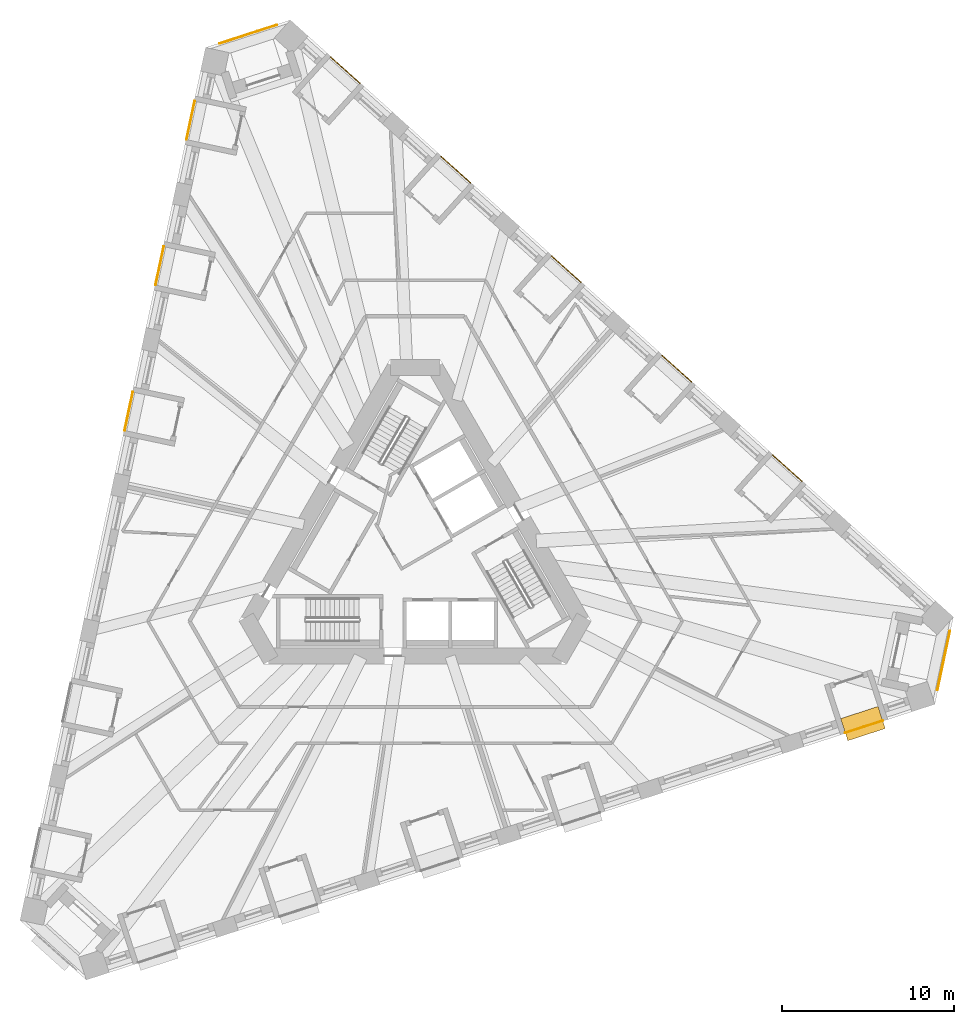
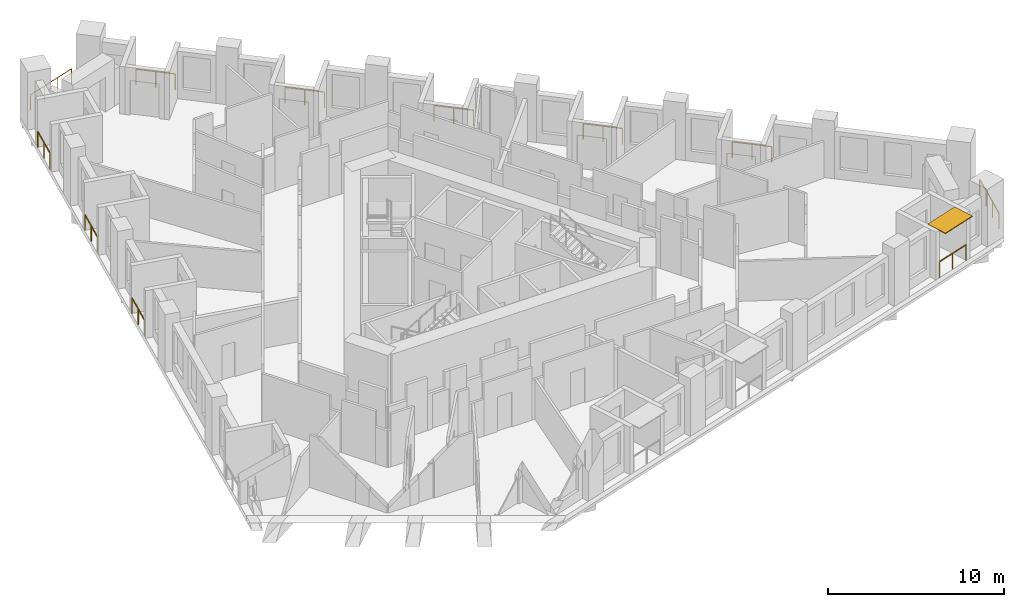
# One storey, part 12 of 12: 11 railings, 1 shading device.
"""IFC4 building model written with IfcOpenShell, lengths in metres."""

from ifc_helpers import new_model, si_unit, direction, frame, origin, origin_2d, place, context, subcontext, project, spatial, rectangle, circle, extrude, material, layer, layer_set, type_object, element, save


model = new_model("IFC4")

# Units and contexts
model_context = context("Model", 3, precision=1e-05, world=origin(), true_north=direction((0.0, 1.0)))
body_context = subcontext(model_context, "Body", "Model", "MODEL_VIEW")
ifc_project = project(units=[si_unit("LENGTHUNIT", "METRE"), si_unit("AREAUNIT", "SQUARE_METRE"), si_unit("VOLUMEUNIT", "CUBIC_METRE"), si_unit("PLANEANGLEUNIT", "RADIAN"), si_unit("MASSUNIT", "GRAM", prefix="KILO")], contexts=[model_context])

# Site, building, storey
site_placement = place(None, origin())
site = spatial("IfcSite", under=ifc_project, at=site_placement, CompositionType="ELEMENT")
building_placement = place(site_placement, origin())
building = spatial("IfcBuilding", under=site, at=building_placement, Name="Tramontana Tower", CompositionType="ELEMENT")
storey_placement = place(building_placement, frame((0.0, 0.0, 96.39990234375)))
storey = spatial("IfcBuildingStorey", under=building, at=storey_placement, Name="L21", CompositionType="ELEMENT", Elevation=96.39990234375)

# Railings
ifc_material_1 = material(Name="Laminated glass balustrade", Category="glass")
railing_type = type_object("IfcRailingType", Name="GD1 Loggia glass balustrade 1100", PredefinedType="BALUSTRADE", material=ifc_material_1)
railing_1_placement = place(storey_placement, frame((-12.838134765625, 26.031982421875, 0.0)))
element("IfcRailing", 1, at=railing_1_placement, inside=storey, type_object=railing_type, Name="Loggia balustrade L21 G2S0.1", PredefinedType="BALUSTRADE", context=body_context, shape_type="SweptSolid", body=[
    extrude(circle(Radius=0.02392578125, at=origin_2d()), frame((0.0, 0.0, 1.076171875), z_axis=(-0.207990282514, -0.978130892253, 0.0), x_axis=(0.978130892253, -0.207990282514, 0.0)), (0.0, 0.0, 1.0), 2.28662109375),
    extrude(circle(Radius=0.02099609375, at=origin_2d()), origin(), (0.0, 0.0, 1.0), 1.052001953125),
    extrude(circle(Radius=0.02099609375, at=origin_2d()), frame((-0.23779296875, -1.1181640625, 0.0)), (0.0, 0.0, 1.0), 1.052001953125),
    extrude(circle(Radius=0.02099609375, at=origin_2d()), frame((-0.4755859375, -2.236572265625, 0.0)), (0.0, 0.0, 1.0), 1.052001953125),
])
for number, where, name in (
    (2, (-14.638671875, 17.56103515625, 0.0), "Loggia balustrade L21 G2S0.4"),
    (3, (-16.439208984375, 9.090087890625, 0.0), "Loggia balustrade L21 G2S0.7"),
):
    element("IfcRailing", number, at=place(storey_placement, frame(where)), inside=storey, type_object=railing_type, Name=name, PredefinedType="BALUSTRADE", context=body_context, shape_type="SweptSolid", body=[
        extrude(circle(Radius=0.02392578125, at=origin_2d()), frame((0.0, 0.0, 1.076171875), z_axis=(-0.207968563016, -0.978135510447, 0.0), x_axis=(0.978135510447, -0.207968563016, 0.0)), (0.0, 0.0, 1.0), 2.286865234375),
        extrude(circle(Radius=0.02099609375, at=origin_2d()), origin(), (0.0, 0.0, 1.0), 1.052001953125),
        extrude(circle(Radius=0.02099609375, at=origin_2d()), frame((-0.23779296875, -1.118408203125, 0.0)), (0.0, 0.0, 1.0), 1.052001953125),
        extrude(circle(Radius=0.02099609375, at=origin_2d()), frame((-0.4755859375, -2.23681640625, 0.0)), (0.0, 0.0, 1.0), 1.052001953125),
    ])
railing_2_placement = place(storey_placement, frame((25.056640625, -10.75341796875, 0.0)))
element("IfcRailing", 4, at=railing_2_placement, inside=storey, type_object=railing_type, Name="Loggia balustrade L21 G2S1.16", PredefinedType="BALUSTRADE", context=body_context, shape_type="SweptSolid", body=[
    extrude(circle(Radius=0.02392578125, at=origin_2d()), frame((0.0, 0.0, 1.076171875), z_axis=(0.95103720697, 0.309076416051, 0.0), x_axis=(-0.309076416051, 0.95103720697, 0.0)), (0.0, 0.0, 1.0), 2.286865234375),
    extrude(circle(Radius=0.02099609375, at=origin_2d()), origin(), (0.0, 0.0, 1.0), 1.052001953125),
    extrude(circle(Radius=0.02099609375, at=origin_2d()), frame((1.08740234375, 0.353515625, 0.0)), (0.0, 0.0, 1.0), 1.052001953125),
    extrude(circle(Radius=0.02099609375, at=origin_2d()), frame((2.1748046875, 0.706787109375, 0.0)), (0.0, 0.0, 1.0), 1.052001953125),
])
for number, where, name in (
    (5, (22.527587890625, 3.89697265625, 0.0), "Loggia balustrade L21 G2S2.4"),
    (6, (16.091796875, 9.69189453125, 0.0), "Loggia balustrade L21 G2S2.7"),
):
    element("IfcRailing", number, at=place(storey_placement, frame(where)), inside=storey, type_object=railing_type, Name=name, PredefinedType="BALUSTRADE", context=body_context, shape_type="SweptSolid", body=[
        extrude(circle(Radius=0.02392578125, at=origin_2d()), frame((0.0, 0.0, 1.076171875), z_axis=(-0.743134851659, 0.66914168324, 0.0), x_axis=(-0.66914168324, -0.743134851659, 0.0)), (0.0, 0.0, 1.0), 2.28662109375),
        extrude(circle(Radius=0.02099609375, at=origin_2d()), origin(), (0.0, 0.0, 1.0), 1.052001953125),
        extrude(circle(Radius=0.02099609375, at=origin_2d()), frame((-0.849609375, 0.76513671875, 0.0)), (0.0, 0.0, 1.0), 1.052001953125),
        extrude(circle(Radius=0.02099609375, at=origin_2d()), frame((-1.69921875, 1.530029296875, 0.0)), (0.0, 0.0, 1.0), 1.052001953125),
    ])
railing_3_placement = place(storey_placement, frame((9.656005859375, 15.486572265625, 0.0)))
element("IfcRailing", 7, at=railing_3_placement, inside=storey, type_object=railing_type, Name="Loggia balustrade L21 G2S2.10", PredefinedType="BALUSTRADE", context=body_context, shape_type="SweptSolid", body=[
    extrude(circle(Radius=0.02392578125, at=origin_2d()), frame((0.0, 0.0, 1.076171875), z_axis=(-0.743081759278, 0.669200641832, 0.0), x_axis=(-0.669200641832, -0.743081759278, 0.0)), (0.0, 0.0, 1.0), 2.28662109375),
    extrude(circle(Radius=0.02099609375, at=origin_2d()), origin(), (0.0, 0.0, 1.0), 1.052001953125),
    extrude(circle(Radius=0.02099609375, at=origin_2d()), frame((-0.849609375, 0.76513671875, 0.0)), (0.0, 0.0, 1.0), 1.052001953125),
    extrude(circle(Radius=0.02099609375, at=origin_2d()), frame((-1.69921875, 1.5302734375, 0.0)), (0.0, 0.0, 1.0), 1.052001953125),
])
for number, where, name in (
    (8, (3.22021484375, 21.281494140625, 0.0), "Loggia balustrade L21 G2S2.13"),
    (9, (-3.215576171875, 27.076416015625, 0.0), "Loggia balustrade L21 G2S2.16"),
):
    element("IfcRailing", number, at=place(storey_placement, frame(where)), inside=storey, type_object=railing_type, Name=name, PredefinedType="BALUSTRADE", context=body_context, shape_type="SweptSolid", body=[
        extrude(circle(Radius=0.02392578125, at=origin_2d()), frame((0.0, 0.0, 1.076171875), z_axis=(-0.743182653308, 0.669088591909, 0.0), x_axis=(-0.669088591909, -0.743182653308, 0.0)), (0.0, 0.0, 1.0), 2.28662109375),
        extrude(circle(Radius=0.02099609375, at=origin_2d()), origin(), (0.0, 0.0, 1.0), 1.052001953125),
        extrude(circle(Radius=0.02099609375, at=origin_2d()), frame((-0.849609375, 0.76513671875, 0.0)), (0.0, 0.0, 1.0), 1.052001953125),
        extrude(circle(Radius=0.02099609375, at=origin_2d()), frame((-1.699462890625, 1.530029296875, 0.0)), (0.0, 0.0, 1.0), 1.052001953125),
    ])
railing_4_placement = place(storey_placement, frame((-11.38916015625, 29.388916015625, 0.0)))
element("IfcRailing", 10, at=railing_4_placement, inside=storey, type_object=railing_type, Name="Corner loggia balustrade L21 K20", PredefinedType="BALUSTRADE", context=body_context, shape_type="SweptSolid", body=[
    extrude(circle(Radius=0.02392578125, at=origin_2d()), frame((0.0, 0.0, 1.076171875), z_axis=(0.951062257173, 0.308999325213, 0.0), x_axis=(-0.308999325213, 0.951062257173, 0.0)), (0.0, 0.0, 1.0), 3.500244140625),
    extrude(circle(Radius=0.02099609375, at=origin_2d()), origin(), (0.0, 0.0, 1.0), 1.052001953125),
    extrude(circle(Radius=0.02099609375, at=origin_2d()), frame((1.109619140625, 0.360595703125, 0.0)), (0.0, 0.0, 1.0), 1.052001953125),
    extrude(circle(Radius=0.02099609375, at=origin_2d()), frame((2.21923828125, 0.720947265625, 0.0)), (0.0, 0.0, 1.0), 1.052001953125),
    extrude(circle(Radius=0.02099609375, at=origin_2d()), frame((3.328857421875, 1.08154296875, 0.0)), (0.0, 0.0, 1.0), 1.052001953125),
])
railing_5_placement = place(storey_placement, frame((31.146240234375, -4.831298828125, 0.0)))
element("IfcRailing", 11, at=railing_5_placement, inside=storey, type_object=railing_type, Name="Corner loggia balustrade L21 K22", PredefinedType="BALUSTRADE", context=body_context, shape_type="SweptSolid", body=[
    extrude(circle(Radius=0.02392578125, at=origin_2d()), frame((0.0, 0.0, 1.076171875), z_axis=(-0.207947190288, -0.978140054415, 0.0), x_axis=(0.978140054415, -0.207947190288, 0.0)), (0.0, 0.0, 1.0), 3.499755859375),
    extrude(circle(Radius=0.02099609375, at=origin_2d()), origin(), (0.0, 0.0, 1.0), 1.052001953125),
    extrude(circle(Radius=0.02099609375, at=origin_2d()), frame((-0.24267578125, -1.14111328125, 0.0)), (0.0, 0.0, 1.0), 1.052001953125),
    extrude(circle(Radius=0.02099609375, at=origin_2d()), frame((-0.485107421875, -2.2822265625, 0.0)), (0.0, 0.0, 1.0), 1.052001953125),
    extrude(circle(Radius=0.02099609375, at=origin_2d()), frame((-0.727783203125, -3.42333984375, 0.0)), (0.0, 0.0, 1.0), 1.052001953125),
])

# Shading device
ifc_material_2 = material(Name="Precast concrete 60 MPa", Category="concrete")
ifc_layer = layer(ifc_material_2, 0.06005859375)
ifc_layer_set = layer_set([ifc_layer], Name="SS1 Stone sunshade blade 60")
shading_device_type = type_object("IfcShadingDeviceType", Name="SS1 Stone sunshade blade 60", PredefinedType="USERDEFINED", material=ifc_layer_set)
shading_device_placement = place(storey_placement, frame((26.083740234375, -10.214599609375, 3.239990234375), z_axis=(0.0, 0.0, 1.0), x_axis=(0.951056516295, 0.309016994375, 0.0)))
element("IfcShadingDevice", 12, at=shading_device_placement, inside=storey, type_object=shading_device_type, Name="Sunshade L21 G2S1.16", ObjectType="SUNSHADE", PredefinedType="USERDEFINED", context=body_context, shape_type="SweptSolid", body=[
    extrude(rectangle(XDim=2.286865234375, YDim=1.35009765625, at=origin_2d()), origin(), (0.0, 0.0, 1.0), 0.06005859375),
])

save(model, "model.ifc")
